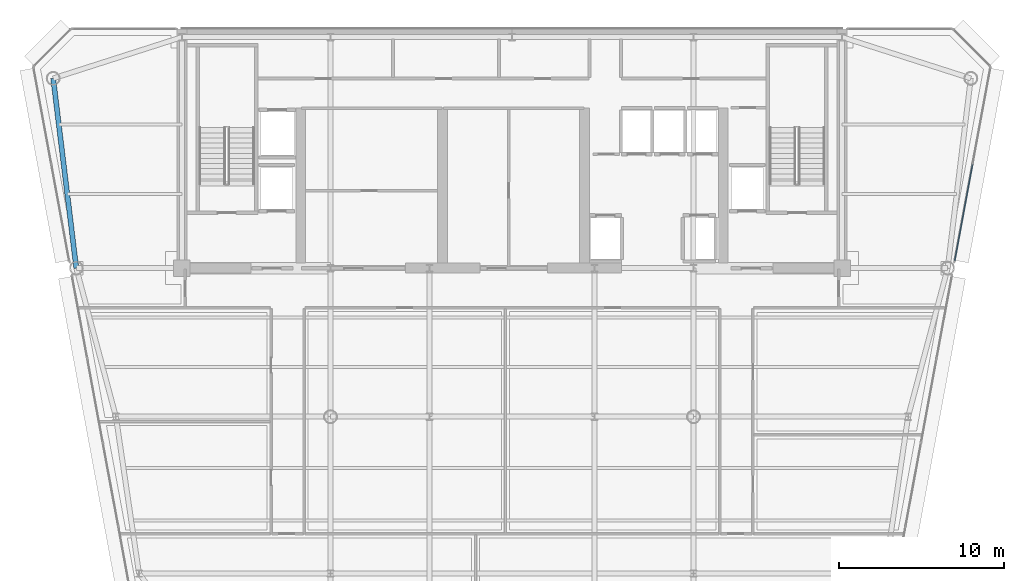
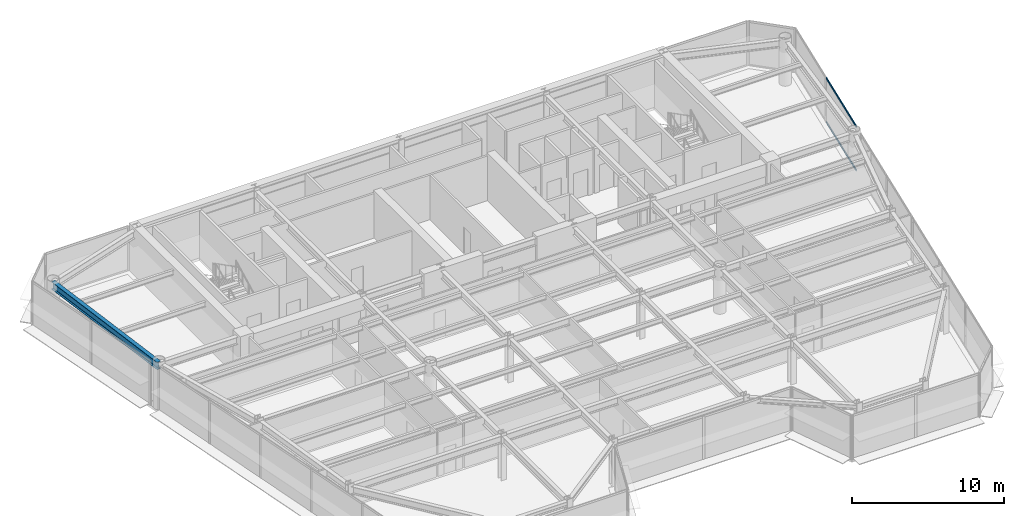
# One storey, part 7 of 16: 2 members, 1 beam, 1 element without a shape of its own.
"""IFC4 building model written with IfcOpenShell, lengths in metres."""

from ifc_helpers import new_model, si_unit, direction, frame, origin, origin_2d, place, context, subcontext, project, spatial, rectangle, i_section, extrude, source, transform, mapped, material, layer, layer_set, material_profile, profile_set, type_object, element, aggregate, save


model = new_model("IFC4")

# Units and contexts
model_context = context("Model", 3, precision=1e-05, world=origin(), true_north=direction((0.0, 1.0)))
body_context = subcontext(model_context, "Body", "Model", "MODEL_VIEW")
ifc_project = project(units=[si_unit("LENGTHUNIT", "METRE"), si_unit("AREAUNIT", "SQUARE_METRE"), si_unit("VOLUMEUNIT", "CUBIC_METRE"), si_unit("PLANEANGLEUNIT", "RADIAN"), si_unit("MASSUNIT", "GRAM", prefix="KILO")], contexts=[model_context])

# Site, building, storey
site_placement = place(None, origin())
site = spatial("IfcSite", under=ifc_project, at=site_placement, CompositionType="ELEMENT")
building_placement = place(site_placement, origin())
building = spatial("IfcBuilding", under=site, at=building_placement, Name="Vaeldorn Concourse Tower", CompositionType="ELEMENT")
storey_placement = place(building_placement, frame((0.0, 0.0, 210.800048828125)))
storey = spatial("IfcBuildingStorey", under=building, at=storey_placement, Name="L54", CompositionType="ELEMENT", Elevation=210.800048828125)

# Beam
ifc_material_1 = material(Name="Steel S355", Category="steel")
ifc_material_profile_1 = material_profile(ifc_material_1, i_section(OverallWidth=0.300048828125, OverallDepth=0.60009765625, WebThickness=0.015380859375, FlangeThickness=0.030029296875, FilletRadius=0.027099609375, at=origin_2d()), Name="HEB 600")
ifc_profile_set_1 = profile_set([ifc_material_profile_1], Name="Steel S355")
beam_type = type_object("IfcBeamType", Name="BM-PG-HEB600", PredefinedType="BEAM", material=ifc_profile_set_1)
shared_shape_1 = source(origin(), body_context, "Body", "SweptSolid", [
    extrude(i_section(OverallWidth=0.300048828125, OverallDepth=0.60009765625, WebThickness=0.015380859375, FlangeThickness=0.030029296875, FilletRadius=0.027099609375, at=origin_2d()), origin(), (0.0, 0.0, 1.0), 11.5849609375),
])
beam_placement = place(storey_placement, frame((6.199951171875, 48.0, 3.280029296875), z_axis=(0.120859382899, -0.992669637677, 0.0), x_axis=(0.992669637677, 0.120859382899, 0.0)))
element("IfcBeam", 1, at=beam_placement, inside=storey, type_object=beam_type, Name="Beam BM-L54-C-NW1-C-NW2", PredefinedType="BEAM", context=body_context, shape_type="MappedRepresentation", body=[
    mapped(shared_shape_1, transform((0.0, 0.0, 0.0), scale=1.0)),
])

# Curtain wall, members
ifc_material_2 = material(Name="Anodised Bronze Aluminium", Category="aluminium")
ifc_layer = layer(ifc_material_2, 0.18994140625)
ifc_layer_set = layer_set([ifc_layer], Name="Anodised Bronze Aluminium")
curtain_wall_type = type_object("IfcCurtainWallType", Name="CW-SYS-03", PredefinedType="NOTDEFINED", material=ifc_layer_set)
curtain_wall_placement = place(storey_placement, origin())
curtain_wall = element("IfcCurtainWall", 2, at=curtain_wall_placement, inside=storey, type_object=curtain_wall_type, Name="Unitised Curtain Wall CW-L54-E07-2", PredefinedType="NOTDEFINED")
ifc_material_profile_2 = material_profile(ifc_material_2, rectangle(XDim=0.06494140625, YDim=0.14990234375, at=origin_2d()), Name="CWT 65x150")
ifc_profile_set_2 = profile_set([ifc_material_profile_2], Name="Anodised Bronze Aluminium")
member_type = type_object("IfcMemberType", Name="CWT-BRONZE-150", PredefinedType="USERDEFINED", material=ifc_profile_set_2)
shared_shape_2 = source(origin(), body_context, "Body", "SweptSolid", [
    extrude(rectangle(XDim=0.06494140625, YDim=0.14990234375, at=origin_2d()), origin(), (0.0, 0.0, 1.0), 5.90478515625),
])
member_1_placement = place(storey_placement, frame((60.828369140625, 36.95947265625, 0.032470703125), z_axis=(0.181879018898, 0.983320915309, 0.0), x_axis=(-0.983320915309, 0.181879018898, 0.0)))
member_1 = element("IfcMember", 3, at=member_1_placement, type_object=member_type, Name="CW-03 transom 1.1", ObjectType="TRANSOM", PredefinedType="USERDEFINED", context=body_context, shape_type="MappedRepresentation", body=[
    mapped(shared_shape_2, transform((0.0, 0.0, 0.0), scale=1.0)),
])
member_2_placement = place(storey_placement, frame((60.828369140625, 36.95947265625, 3.54736328125), z_axis=(0.181879018898, 0.983320915309, 0.0), x_axis=(-0.983320915309, 0.181879018898, 0.0)))
member_2 = element("IfcMember", 4, at=member_2_placement, type_object=member_type, Name="CW-03 transom 1.2", ObjectType="TRANSOM", PredefinedType="USERDEFINED", context=body_context, shape_type="MappedRepresentation", body=[
    mapped(shared_shape_2, transform((0.0, 0.0, 0.0), scale=1.0)),
])
aggregate(curtain_wall, [member_1, member_2])

save(model, "model.ifc")
